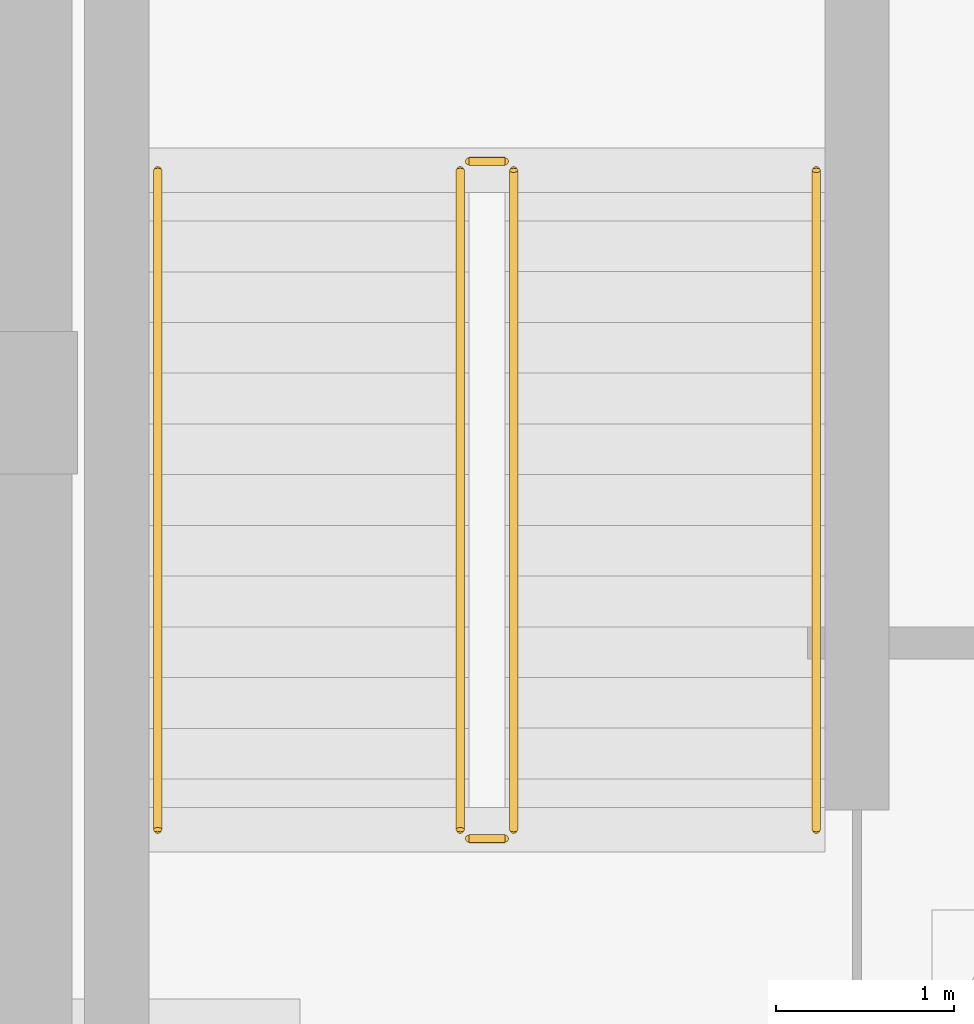
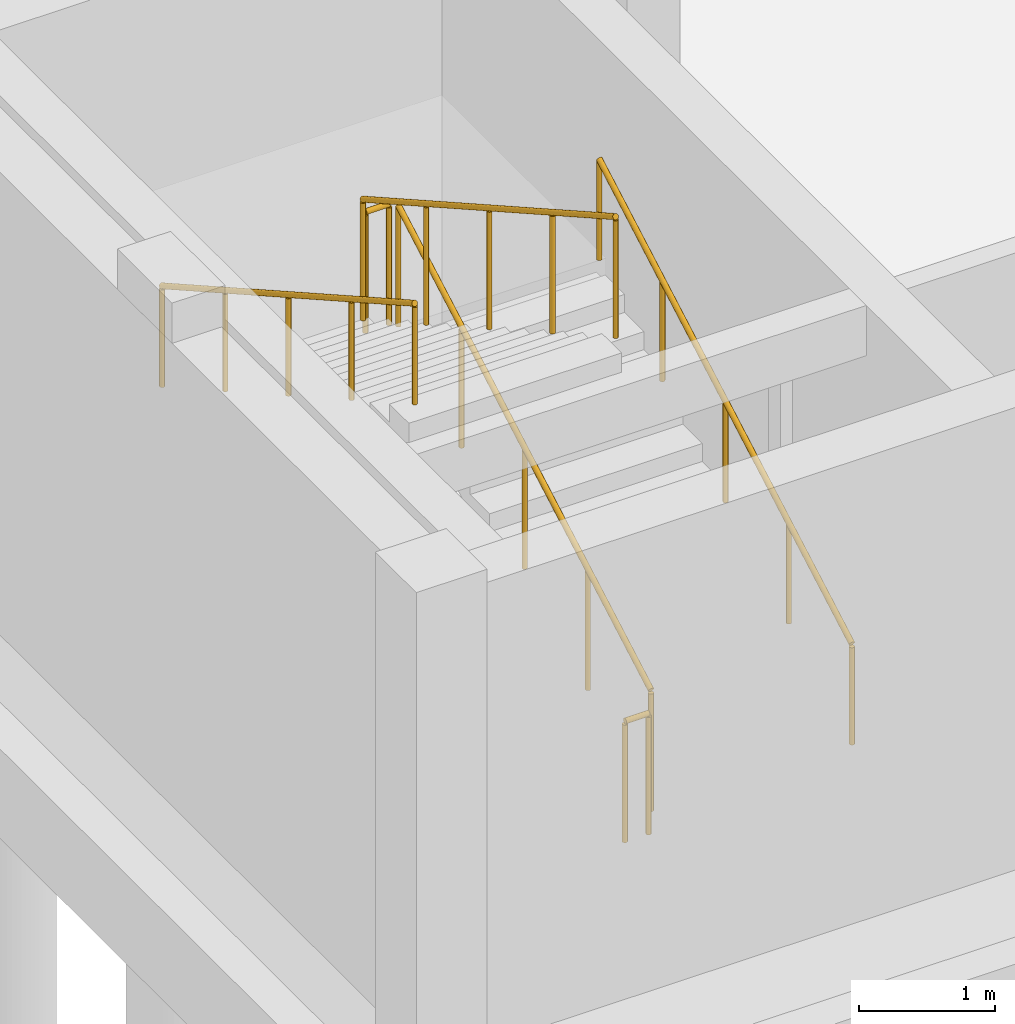
# One storey, part 19 of 25: 6 railings.
"""IFC4 building model written with IfcOpenShell, lengths in metres."""

from ifc_helpers import new_model, si_unit, direction, frame, origin, origin_2d, place, context, subcontext, project, spatial, circle, extrude, material, type_object, element, save


model = new_model("IFC4")

# Units and contexts
model_context = context("Model", 3, precision=1e-05, world=origin(), true_north=direction((0.0, 1.0)))
body_context = subcontext(model_context, "Body", "Model", "MODEL_VIEW")
ifc_project = project(units=[si_unit("LENGTHUNIT", "METRE"), si_unit("AREAUNIT", "SQUARE_METRE"), si_unit("VOLUMEUNIT", "CUBIC_METRE"), si_unit("PLANEANGLEUNIT", "RADIAN"), si_unit("MASSUNIT", "GRAM", prefix="KILO")], contexts=[model_context])

# Site, building, storey
site_placement = place(None, origin())
site = spatial("IfcSite", under=ifc_project, at=site_placement, CompositionType="ELEMENT")
building_placement = place(site_placement, origin())
building = spatial("IfcBuilding", under=site, at=building_placement, Name="Qaldarim Faculty of Natural and Applied Sciences", CompositionType="ELEMENT")
storey_placement = place(building_placement, frame((0.0, 0.0, -4.5)))
storey = spatial("IfcBuildingStorey", under=building, at=storey_placement, Name="B01", CompositionType="ELEMENT", Elevation=-4.5)

# Railings
ifc_material = material(Name="Architectural stainless steel 316", Category="steel")
railing_type_1 = type_object("IfcRailingType", Name="GuardBalustrade-1100", PredefinedType="BALUSTRADE", material=ifc_material)
railing_1_placement = place(storey_placement, frame((2.89990234375, 18.60009765625, 0.159912109375)))
element("IfcRailing", 1, at=railing_1_placement, inside=storey, type_object=railing_type_1, Name="ST-D1 B01 stair well guard 1", PredefinedType="BALUSTRADE", context=body_context, shape_type="SweptSolid", body=[
    extrude(circle(Radius=0.02392578125, at=origin_2d()), frame((0.0, 0.0, 1.076171875), z_axis=(0.0, 0.870960203982, 0.491353562194), x_axis=(-1.0, 0.0, 0.0)), (0.0, 0.0, 1.0), 4.253662109375),
    extrude(circle(Radius=0.02099609375, at=origin_2d()), origin(), (0.0, 0.0, 1.0), 1.052001953125),
    extrude(circle(Radius=0.02099609375, at=origin_2d()), frame((0.0, 0.92626953125, 0.5224609375)), (0.0, 0.0, 1.0), 1.052001953125),
    extrude(circle(Radius=0.02099609375, at=origin_2d()), frame((0.0, 1.8525390625, 1.044921875)), (0.0, 0.0, 1.0), 1.052001953125),
    extrude(circle(Radius=0.02099609375, at=origin_2d()), frame((0.0, 2.778564453125, 1.567626953125)), (0.0, 0.0, 1.0), 1.052001953125),
    extrude(circle(Radius=0.02099609375, at=origin_2d()), frame((0.0, 3.704833984375, 2.090087890625)), (0.0, 0.0, 1.0), 1.052001953125),
])
railing_2_placement = place(storey_placement, frame((2.85009765625, 22.35498046875, 2.25)))
element("IfcRailing", 2, at=railing_2_placement, inside=storey, type_object=railing_type_1, Name="ST-D1 B01 stair well guard 2", PredefinedType="BALUSTRADE", context=body_context, shape_type="SweptSolid", body=[
    extrude(circle(Radius=0.02392578125, at=origin_2d()), frame((0.0, 0.0, 1.076171875), z_axis=(-1.0, 0.0, 0.0), x_axis=(0.0, -1.0, 0.0)), (0.0, 0.0, 1.0), 0.2001953125),
    extrude(circle(Radius=0.02099609375, at=origin_2d()), origin(), (0.0, 0.0, 1.0), 1.052001953125),
    extrude(circle(Radius=0.02099609375, at=origin_2d()), frame((-0.2001953125, 0.0, 0.0)), (0.0, 0.0, 1.0), 1.052001953125),
])
railing_3_placement = place(storey_placement, frame((2.60009765625, 22.304931640625, 2.409912109375)))
element("IfcRailing", 3, at=railing_3_placement, inside=storey, type_object=railing_type_1, Name="ST-D1 B01 stair well guard 3", PredefinedType="BALUSTRADE", context=body_context, shape_type="SweptSolid", body=[
    extrude(circle(Radius=0.02392578125, at=origin_2d()), frame((0.0, 0.0, 1.076171875), z_axis=(0.0, -0.870960203982, 0.491353562194), x_axis=(1.0, 0.0, 0.0)), (0.0, 0.0, 1.0), 4.253662109375),
    extrude(circle(Radius=0.02099609375, at=origin_2d()), origin(), (0.0, 0.0, 1.0), 1.052001953125),
    extrude(circle(Radius=0.02099609375, at=origin_2d()), frame((0.0, -0.92626953125, 0.5224609375)), (0.0, 0.0, 1.0), 1.052001953125),
    extrude(circle(Radius=0.02099609375, at=origin_2d()), frame((0.0, -1.8525390625, 1.044921875)), (0.0, 0.0, 1.0), 1.052001953125),
    extrude(circle(Radius=0.02099609375, at=origin_2d()), frame((0.0, -2.778564453125, 1.567626953125)), (0.0, 0.0, 1.0), 1.052001953125),
    extrude(circle(Radius=0.02099609375, at=origin_2d()), frame((0.0, -3.704833984375, 2.090087890625)), (0.0, 0.0, 1.0), 1.052001953125),
])
railing_4_placement = place(storey_placement, frame((2.85009765625, 18.550048828125, 0.0)))
element("IfcRailing", 4, at=railing_4_placement, inside=storey, type_object=railing_type_1, Name="ST-D1 B01 stair well guard 4", PredefinedType="BALUSTRADE", context=body_context, shape_type="SweptSolid", body=[
    extrude(circle(Radius=0.02392578125, at=origin_2d()), frame((0.0, 0.0, 1.076171875), z_axis=(-1.0, 0.0, 0.0), x_axis=(0.0, -1.0, 0.0)), (0.0, 0.0, 1.0), 0.2001953125),
    extrude(circle(Radius=0.02099609375, at=origin_2d()), origin(), (0.0, 0.0, 1.0), 1.052001953125),
    extrude(circle(Radius=0.02099609375, at=origin_2d()), frame((-0.2001953125, 0.0, 0.0)), (0.0, 0.0, 1.0), 1.052001953125),
])
railing_type_2 = type_object("IfcRailingType", Name="StairHandrail-920", PredefinedType="HANDRAIL", material=ifc_material)
railing_5_placement = place(storey_placement, frame((4.60009765625, 18.60009765625, 0.159912109375)))
element("IfcRailing", 5, at=railing_5_placement, inside=storey, type_object=railing_type_2, Name="ST-D1 B01 stair handrail 1", PredefinedType="HANDRAIL", context=body_context, shape_type="SweptSolid", body=[
    extrude(circle(Radius=0.02392578125, at=origin_2d()), frame((0.0, 0.0, 0.89599609375), z_axis=(0.0, 0.870960203982, 0.491353562194), x_axis=(-1.0, 0.0, 0.0)), (0.0, 0.0, 1.0), 4.253662109375),
    extrude(circle(Radius=0.02099609375, at=origin_2d()), origin(), (0.0, 0.0, 1.0), 0.871826171875),
    extrude(circle(Radius=0.02099609375, at=origin_2d()), frame((0.0, 0.92626953125, 0.5224609375)), (0.0, 0.0, 1.0), 0.871826171875),
    extrude(circle(Radius=0.02099609375, at=origin_2d()), frame((0.0, 1.8525390625, 1.044921875)), (0.0, 0.0, 1.0), 0.871826171875),
    extrude(circle(Radius=0.02099609375, at=origin_2d()), frame((0.0, 2.778564453125, 1.567626953125)), (0.0, 0.0, 1.0), 0.871826171875),
    extrude(circle(Radius=0.02099609375, at=origin_2d()), frame((0.0, 3.704833984375, 2.090087890625)), (0.0, 0.0, 1.0), 0.871826171875),
])
railing_6_placement = place(storey_placement, frame((0.89990234375, 22.304931640625, 2.409912109375)))
element("IfcRailing", 6, at=railing_6_placement, inside=storey, type_object=railing_type_2, Name="ST-D1 B01 stair handrail 2", PredefinedType="HANDRAIL", context=body_context, shape_type="SweptSolid", body=[
    extrude(circle(Radius=0.02392578125, at=origin_2d()), frame((0.0, 0.0, 0.89599609375), z_axis=(0.0, -0.870960203982, 0.491353562194), x_axis=(1.0, 0.0, 0.0)), (0.0, 0.0, 1.0), 4.253662109375),
    extrude(circle(Radius=0.02099609375, at=origin_2d()), origin(), (0.0, 0.0, 1.0), 0.871826171875),
    extrude(circle(Radius=0.02099609375, at=origin_2d()), frame((0.0, -0.92626953125, 0.5224609375)), (0.0, 0.0, 1.0), 0.871826171875),
    extrude(circle(Radius=0.02099609375, at=origin_2d()), frame((0.0, -1.8525390625, 1.044921875)), (0.0, 0.0, 1.0), 0.871826171875),
    extrude(circle(Radius=0.02099609375, at=origin_2d()), frame((0.0, -2.778564453125, 1.567626953125)), (0.0, 0.0, 1.0), 0.871826171875),
    extrude(circle(Radius=0.02099609375, at=origin_2d()), frame((0.0, -3.704833984375, 2.090087890625)), (0.0, 0.0, 1.0), 0.871826171875),
])

save(model, "model.ifc")
